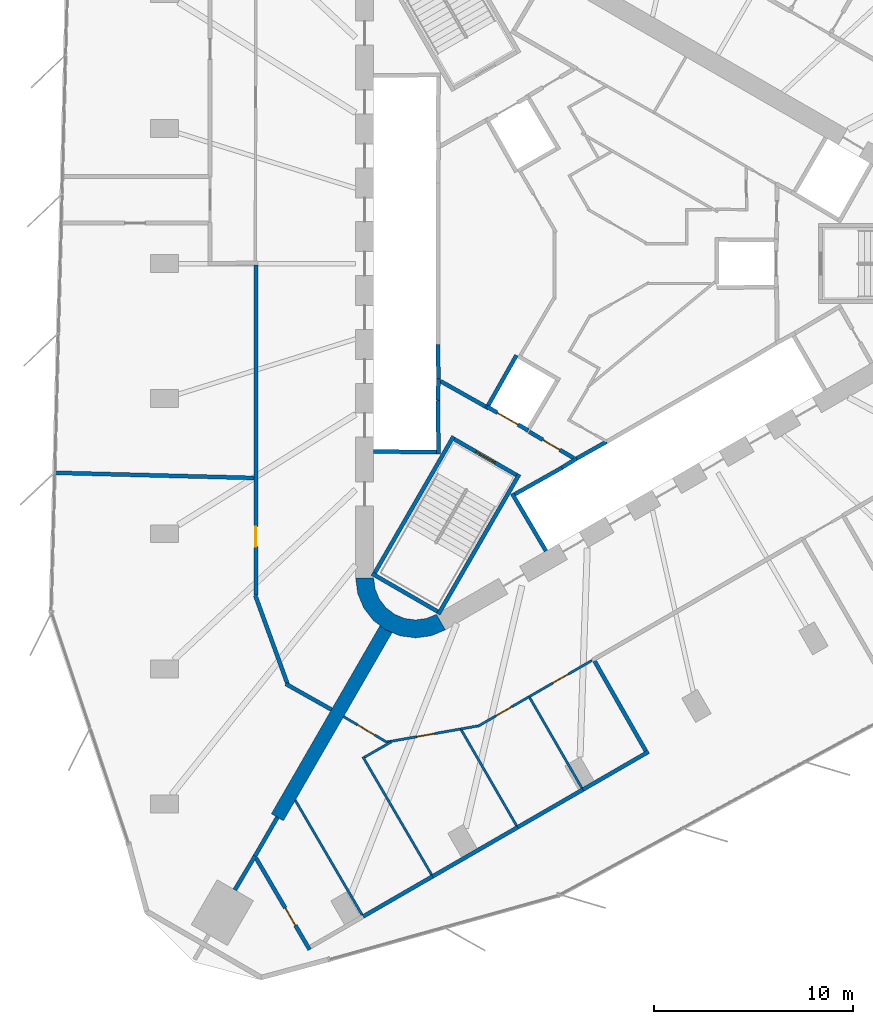
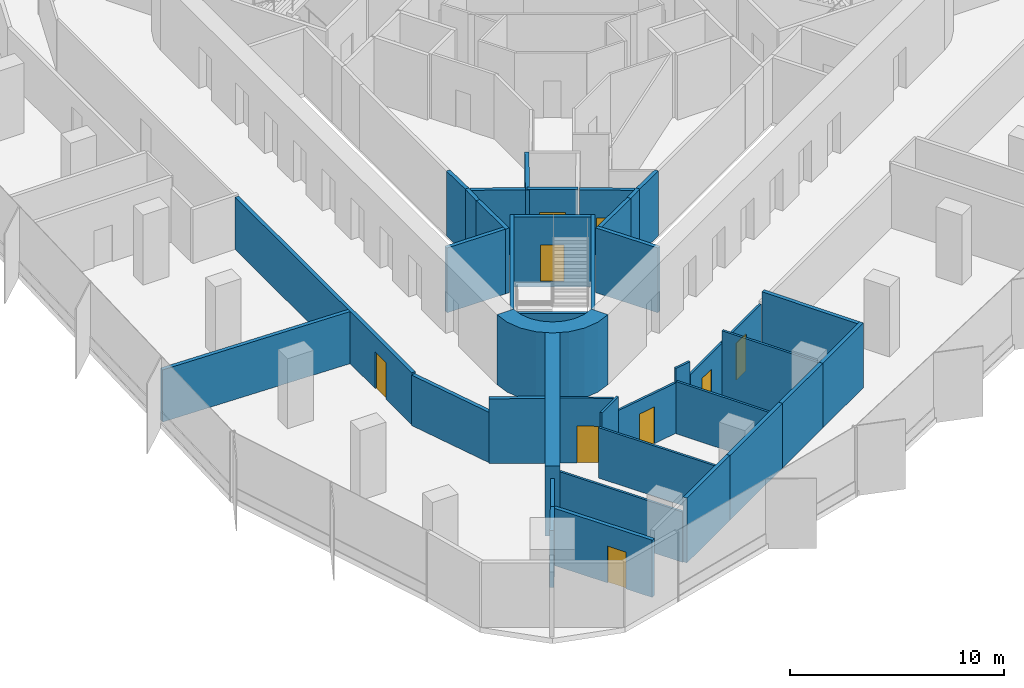
# One storey, part 8 of 14: 40 walls, 9 doors, 9 openings.
"""IFC4 building model written with IfcOpenShell, lengths in metres."""

from ifc_helpers import new_model, si_unit, direction, frame, frame_2d, origin, place, context, subcontext, project, spatial, polyline, rectangle, outline, extrude, material, layer, layer_set, type_object, element, fill, save


model = new_model("IFC4")

# Units and contexts
model_context = context("Model", 3, precision=1e-05, world=origin(), true_north=direction((0.0, 1.0)))
body_context = subcontext(model_context, "Body", "Model", "MODEL_VIEW")
ifc_project = project(units=[si_unit("LENGTHUNIT", "METRE"), si_unit("AREAUNIT", "SQUARE_METRE"), si_unit("VOLUMEUNIT", "CUBIC_METRE"), si_unit("PLANEANGLEUNIT", "RADIAN"), si_unit("MASSUNIT", "GRAM", prefix="KILO")], contexts=[model_context])

# Site, building, storey
site_placement = place(None, origin())
site = spatial("IfcSite", under=ifc_project, at=site_placement, CompositionType="ELEMENT")
building_placement = place(site_placement, origin())
building = spatial("IfcBuilding", under=site, at=building_placement, Name="Tanit Gate Tower", CompositionType="ELEMENT")
storey_placement = place(building_placement, frame((0.0, 0.0, 245.199951171875)))
storey = spatial("IfcBuildingStorey", under=building, at=storey_placement, Name="L55", CompositionType="ELEMENT", Elevation=245.199951171875)

# Walls
ifc_material_1 = material(Name="Concrete C50/60", Category="concrete")
ifc_layer_1 = layer(ifc_material_1, 0.699951171875)
ifc_layer_set_1 = layer_set([ifc_layer_1], Name="BUTTRESS FIN 700 C50/60")
wall_type_1 = type_object("IfcWallType", Name="BUTTRESS FIN 700 C50/60", PredefinedType="SHEAR", material=ifc_layer_set_1)
wall_1_placement = place(storey_placement, frame((-10.574951171875, -18.31640625, 0.0), z_axis=(0.0, 0.0, 1.0), x_axis=(-0.500002931134, -0.866023711487, 0.0)))
element("IfcWall", 1, at=wall_1_placement, inside=storey, type_object=wall_type_1, Name="BUTTRESS FIN", PredefinedType="SHEAR", context=body_context, shape_type="SweptSolid", body=[
    extrude(rectangle(XDim=10.900390625, YDim=0.699951171875, at=frame_2d((5.4501953125, 0.0))), origin(), (0.0, 0.0, 1.0), 4.0),
])
ifc_material_2 = material(Name="Concrete C50/60", Category="concrete")
ifc_layer_2 = layer(ifc_material_2, 0.89990234375)
ifc_layer_set_2 = layer_set([ifc_layer_2], Name="CORE WALL 900 C50/60")
wall_type_2 = type_object("IfcWallType", Name="CORE WALL 900 C50/60", PredefinedType="SHEAR", material=ifc_layer_set_2)
wall_2_placement = place(storey_placement, origin())
element("IfcWall", 2, at=wall_2_placement, inside=storey, type_object=wall_type_2, Name="CORE WALL CORNER", PredefinedType="SHEAR", context=body_context, shape_type="SweptSolid", body=[
    extrude(outline(polyline([(-12.10009765625, -15.76171875), (-11.997802734375, -16.5380859375), (-11.697998046875, -17.26171875), (-11.22119140625, -17.883056640625), (-10.60009765625, -18.359619140625), (-9.87646484375, -18.659423828125), (-9.10009765625, -18.76171875), (-8.323486328125, -18.659423828125), (-7.60009765625, -18.359619140625), (-8.050048828125, -17.580322265625), (-8.556396484375, -17.7900390625), (-9.10009765625, -17.86181640625), (-9.6435546875, -17.7900390625), (-10.14990234375, -17.580322265625), (-10.5849609375, -17.24658203125), (-10.918701171875, -16.811767578125), (-11.12841796875, -16.30517578125), (-11.199951171875, -15.76171875), (-12.10009765625, -15.76171875)])), origin(), (0.0, 0.0, 1.0), 4.0),
])
ifc_material_3 = material(Name="Fire-rated gypsum board partition")
ifc_layer_3 = layer(ifc_material_3, 0.199951171875)
ifc_layer_set_3 = layer_set([ifc_layer_3], Name="INT-WALL-COMPARTMENT")
wall_type_3 = type_object("IfcWallType", Name="INT-WALL-COMPARTMENT", PredefinedType="PARTITIONING", material=ifc_layer_set_3)
wall_3_placement = place(storey_placement, frame((-7.84912109375, -5.893798828125, 0.0), z_axis=(0.0, 0.0, 1.0), x_axis=(0.871340486379, -0.490678873396, 0.0)))
element("IfcWall", 3, at=wall_3_placement, inside=storey, type_object=wall_type_3, Name="Wall Compartment W063", PredefinedType="PARTITIONING", context=body_context, shape_type="SweptSolid", body=[
    extrude(rectangle(XDim=2.580810546875, YDim=0.199951171875, at=frame_2d((1.29052734375, 0.0))), origin(), (0.0, 0.0, 1.0), 3.699951171875),
])

# Wall, opening, door
wall_4_placement = place(storey_placement, frame((-3.400634765625, -8.43017578125, 0.0), z_axis=(0.0, 0.0, 1.0), x_axis=(0.860598681535, -0.509283721849, 0.0)))
wall_4 = element("IfcWall", 4, at=wall_4_placement, inside=storey, type_object=wall_type_3, Name="Wall Compartment W064", PredefinedType="PARTITIONING", context=body_context, shape_type="SweptSolid", body=[
    extrude(rectangle(XDim=2.5810546875, YDim=0.199951171875, at=frame_2d((1.29052734375, 0.0))), origin(), (0.0, 0.0, 1.0), 3.699951171875),
])
opening_1_placement = place(wall_4_placement, frame((0.79052734375, 0.0, 0.0)))
opening_1 = element("IfcOpeningElement", 5, at=opening_1_placement, cuts=wall_4, Name="Opening F10-S15-08", PredefinedType="OPENING", context=body_context, shape_type="SweptSolid", body=[
    extrude(rectangle(XDim=1.0, YDim=2.10009765625, at=frame_2d((0.5, 1.050048828125))), frame((0.0, 0.10986328125, 0.0), z_axis=(0.0, -1.0, 0.0), x_axis=(1.0, 0.0, 0.0)), (0.0, 0.0, 1.0), 0.219970703125),
])
ifc_material_4 = material(Name="Fire-rated steel door leaf", Category="steel")
door_type_1 = type_object("IfcDoorType", Name="INT-DOOR-FIRE-1000", OperationType="NOTDEFINED", PredefinedType="USERDEFINED", material=ifc_material_4)
door_1_placement = place(opening_1_placement, origin())
door_1 = element("IfcDoor", 6, at=door_1_placement, inside=storey, type_object=door_type_1, Name="Door F10-S15-08", ObjectType="FIRE DOOR", OperationType="SINGLE_SWING_RIGHT", OverallHeight=2.10009765625, OverallWidth=1.0, PredefinedType="USERDEFINED", context=body_context, shape_type="SweptSolid", body=[
    extrude(rectangle(XDim=1.0, YDim=2.10009765625, at=frame_2d((0.5, 1.050048828125))), frame((0.0, 0.02490234375, 0.0), z_axis=(0.0, -1.0, 0.0), x_axis=(1.0, 0.0, 0.0)), (0.0, 0.0, 1.0), 0.050048828125),
])
fill(opening_1, door_1)

# Walls
wall_5_placement = place(storey_placement, frame((-15.597900390625, -21.071533203125, 0.0), z_axis=(0.0, 0.0, 1.0), x_axis=(0.871234731294, -0.490866624438, 0.0)))
element("IfcWall", 7, at=wall_5_placement, inside=storey, type_object=wall_type_3, Name="Wall Compartment W098", PredefinedType="PARTITIONING", context=body_context, shape_type="SweptSolid", body=[
    extrude(rectangle(XDim=2.62255859375, YDim=0.199951171875, at=frame_2d((1.311279296875, 0.0))), origin(), (0.0, 0.0, 1.0), 3.699951171875),
])
wall_6_placement = place(storey_placement, frame((-17.13427734375, -16.628662109375, 0.0), z_axis=(0.0, 0.0, 1.0), x_axis=(0.342036655594, -0.939686610647, 0.0)))
element("IfcWall", 8, at=wall_6_placement, inside=storey, type_object=wall_type_3, Name="Wall Compartment W099", PredefinedType="PARTITIONING", context=body_context, shape_type="SweptSolid", body=[
    extrude(rectangle(XDim=4.740234375, YDim=0.199951171875, at=frame_2d((2.3701171875, 0.0))), origin(), (0.0, 0.0, 1.0), 2.880126953125),
])

# Wall, opening, door
wall_7_placement = place(storey_placement, frame((-17.10009765625, -0.070068359375, 0.0), z_axis=(0.0, 0.0, 1.0), x_axis=(0.0, -1.0, 0.0)))
wall_7 = element("IfcWall", 9, at=wall_7_placement, inside=storey, type_object=wall_type_3, Name="Wall Compartment W101", PredefinedType="PARTITIONING", context=body_context, shape_type="SweptSolid", body=[
    extrude(rectangle(XDim=16.552490234375, YDim=0.199951171875, at=frame_2d((8.2763671875, 0.0))), origin(), (0.0, 0.0, 1.0), 2.97998046875),
])
opening_2_placement = place(wall_7_placement, frame((13.115478515625, 0.0, 0.0)))
opening_2 = element("IfcOpeningElement", 10, at=opening_2_placement, cuts=wall_7, Name="Opening F10-S15-31", PredefinedType="OPENING", context=body_context, shape_type="SweptSolid", body=[
    extrude(rectangle(XDim=1.0, YDim=2.10009765625, at=frame_2d((0.5, 1.050048828125))), frame((0.0, 0.10986328125, 0.0), z_axis=(0.0, -1.0, 0.0), x_axis=(1.0, 0.0, 0.0)), (0.0, 0.0, 1.0), 0.219970703125),
])
door_2_placement = place(opening_2_placement, origin())
door_2 = element("IfcDoor", 11, at=door_2_placement, inside=storey, type_object=door_type_1, Name="Door F10-S15-31", ObjectType="FIRE DOOR", OperationType="SINGLE_SWING_RIGHT", OverallHeight=2.10009765625, OverallWidth=1.0, PredefinedType="USERDEFINED", context=body_context, shape_type="SweptSolid", body=[
    extrude(rectangle(XDim=1.0, YDim=2.10009765625, at=frame_2d((0.5, 1.050048828125))), frame((0.0, 0.02490234375, 0.0), z_axis=(0.0, -1.0, 0.0), x_axis=(1.0, 0.0, 0.0)), (0.0, 0.0, 1.0), 0.050048828125),
])
fill(opening_2, door_2)

# Walls
wall_8_placement = place(storey_placement, frame((-17.199951171875, -10.745849609375, 0.0), z_axis=(0.0, 0.0, 1.0), x_axis=(-0.9996635128, 0.025939567783, 0.0)))
element("IfcWall", 12, at=wall_8_placement, inside=storey, type_object=wall_type_3, Name="Wall Compartment W125", PredefinedType="PARTITIONING", context=body_context, shape_type="SweptSolid", body=[
    extrude(rectangle(XDim=9.986083984375, YDim=0.199951171875, at=frame_2d((4.9931640625, 0.0))), origin(), (0.0, 0.0, 1.0), 2.97998046875),
])
wall_9_placement = place(storey_placement, frame((-17.148681640625, -29.7021484375, 0.0), z_axis=(0.0, 0.0, 1.0), x_axis=(0.500042241774, 0.866001014111, 0.0)))
element("IfcWall", 13, at=wall_9_placement, inside=storey, type_object=wall_type_3, Name="Wall Compartment W128", PredefinedType="PARTITIONING", context=body_context, shape_type="SweptSolid", body=[
    extrude(rectangle(XDim=2.246826171875, YDim=0.199951171875, at=frame_2d((1.12353515625, 0.0))), origin(), (0.0, 0.0, 1.0), 3.27001953125),
])
wall_10_placement = place(storey_placement, frame((-18.160888671875, -31.3955078125, 0.0), z_axis=(0.0, 0.0, 1.0), x_axis=(0.512692976909, 0.858572018778, 0.0)))
element("IfcWall", 14, at=wall_10_placement, inside=storey, type_object=wall_type_3, Name="Wall Compartment W127", PredefinedType="PARTITIONING", context=body_context, shape_type="SweptSolid", body=[
    extrude(rectangle(XDim=1.972900390625, YDim=0.199951171875, at=frame_2d((0.986328125, 0.0))), origin(), (0.0, 0.0, 1.0), 3.27001953125),
])
wall_11_placement = place(storey_placement, frame((2.579833984375, -24.46826171875, 0.0), z_axis=(0.0, 0.0, 1.0), x_axis=(-0.866042353438, -0.49997064119, 0.0)))
element("IfcWall", 15, at=wall_11_placement, inside=storey, type_object=wall_type_3, Name="Wall Compartment W145", PredefinedType="PARTITIONING", context=body_context, shape_type="SweptSolid", body=[
    extrude(rectangle(XDim=3.803466796875, YDim=0.199951171875, at=frame_2d((1.90185546875, 0.0))), origin(), (0.0, 0.0, 1.0), 3.699951171875),
])
wall_12_placement = place(storey_placement, frame((-0.714111328125, -26.369873046875, 0.0), z_axis=(0.0, 0.0, 1.0), x_axis=(-0.866008069365, -0.500030022893, 0.0)))
element("IfcWall", 16, at=wall_12_placement, inside=storey, type_object=wall_type_3, Name="Wall Compartment W147", PredefinedType="PARTITIONING", context=body_context, shape_type="SweptSolid", body=[
    extrude(rectangle(XDim=3.779052734375, YDim=0.199951171875, at=frame_2d((1.8896484375, 0.0))), origin(), (0.0, 0.0, 1.0), 3.699951171875),
])
wall_13_placement = place(storey_placement, frame((-3.98681640625, -28.259521484375, 0.0), z_axis=(0.0, 0.0, 1.0), x_axis=(-0.866025160694, -0.500000421045, 0.0)))
element("IfcWall", 17, at=wall_13_placement, inside=storey, type_object=wall_type_3, Name="Wall Compartment W148", PredefinedType="PARTITIONING", context=body_context, shape_type="SweptSolid", body=[
    extrude(rectangle(XDim=4.91650390625, YDim=0.199951171875, at=frame_2d((2.458251953125, 0.0))), origin(), (0.0, 0.0, 1.0), 3.699951171875),
])
wall_14_placement = place(storey_placement, frame((-8.24462890625, -30.7177734375, 0.0), z_axis=(0.0, 0.0, 1.0), x_axis=(-0.866039076139, -0.49997631804, 0.0)))
element("IfcWall", 18, at=wall_14_placement, inside=storey, type_object=wall_type_3, Name="Wall Compartment W149", PredefinedType="PARTITIONING", context=body_context, shape_type="SweptSolid", body=[
    extrude(rectangle(XDim=4.023681640625, YDim=0.199951171875, at=frame_2d((2.01171875, 0.0))), origin(), (0.0, 0.0, 1.0), 3.699951171875),
])
wall_15_placement = place(storey_placement, frame((2.443603515625, -24.431396484375, 0.0), z_axis=(0.0, 0.0, 1.0), x_axis=(-0.495153952563, 0.86880525048, 0.0)))
element("IfcWall", 19, at=wall_15_placement, inside=storey, type_object=wall_type_3, Name="Wall Compartment W146", PredefinedType="PARTITIONING", context=body_context, shape_type="SweptSolid", body=[
    extrude(rectangle(XDim=5.18017578125, YDim=0.199951171875, at=frame_2d((2.590087890625, 0.0))), origin(), (0.0, 0.0, 1.0), 3.699951171875),
])

# Wall, opening, door
wall_16_placement = place(storey_placement, frame((-17.092529296875, -29.803466796875, 0.0), z_axis=(0.0, 0.0, 1.0), x_axis=(0.504838763147, -0.863213660239, 0.0)))
wall_16 = element("IfcWall", 20, at=wall_16_placement, inside=storey, type_object=wall_type_3, Name="Wall Compartment W150", PredefinedType="PARTITIONING", context=body_context, shape_type="SweptSolid", body=[
    extrude(rectangle(XDim=5.315673828125, YDim=0.199951171875, at=frame_2d((2.65771484375, 0.0))), origin(), (0.0, 0.0, 1.0), 3.27001953125),
])
opening_3_placement = place(wall_16_placement, frame((2.89990234375, 0.0, 0.0)))
opening_3 = element("IfcOpeningElement", 21, at=opening_3_placement, cuts=wall_16, Name="Opening F10-S15-30", PredefinedType="OPENING", context=body_context, shape_type="SweptSolid", body=[
    extrude(rectangle(XDim=1.0, YDim=2.10009765625, at=frame_2d((0.5, 1.050048828125))), frame((0.0, 0.10986328125, 0.0), z_axis=(0.0, -1.0, 0.0), x_axis=(1.0, 0.0, 0.0)), (0.0, 0.0, 1.0), 0.219970703125),
])
door_3_placement = place(opening_3_placement, origin())
door_3 = element("IfcDoor", 22, at=door_3_placement, inside=storey, type_object=door_type_1, Name="Door F10-S15-30", ObjectType="FIRE DOOR", OperationType="SINGLE_SWING_RIGHT", OverallHeight=2.10009765625, OverallWidth=1.0, PredefinedType="USERDEFINED", context=body_context, shape_type="SweptSolid", body=[
    extrude(rectangle(XDim=1.0, YDim=2.10009765625, at=frame_2d((0.5, 1.050048828125))), frame((0.0, 0.02490234375, 0.0), z_axis=(0.0, -1.0, 0.0), x_axis=(1.0, 0.0, 0.0)), (0.0, 0.0, 1.0), 0.050048828125),
])
fill(opening_3, door_3)

ifc_material_5 = material(Name="Gypsum board partition")
ifc_layer_4 = layer(ifc_material_5, 0.1201171875)
ifc_layer_set_4 = layer_set([ifc_layer_4], Name="INT-WALL-PARTITION")
wall_type_4 = type_object("IfcWallType", Name="INT-WALL-PARTITION", PredefinedType="PARTITIONING", material=ifc_layer_set_4)
wall_17_placement = place(storey_placement, frame((-5.984130859375, -23.200439453125, 0.0), z_axis=(0.0, 0.0, 1.0), x_axis=(0.866005448672, 0.500034561676, 0.0)))
wall_17 = element("IfcWall", 23, at=wall_17_placement, inside=storey, type_object=wall_type_4, Name="Wall Partition W119", PredefinedType="PARTITIONING", context=body_context, shape_type="SweptSolid", body=[
    extrude(rectangle(XDim=2.979248046875, YDim=0.1201171875, at=frame_2d((1.48974609375, 0.0))), origin(), (0.0, 0.0, 1.0), 2.97998046875),
])
opening_4_placement = place(wall_17_placement, frame((1.069580078125, 0.0, 0.0)))
opening_4 = element("IfcOpeningElement", 24, at=opening_4_placement, cuts=wall_17, Name="Opening D09-S15-27", PredefinedType="OPENING", context=body_context, shape_type="SweptSolid", body=[
    extrude(rectangle(XDim=0.89990234375, YDim=2.10009765625, at=frame_2d((0.449951171875, 1.050048828125))), frame((0.0, 0.070068359375, 0.0), z_axis=(0.0, -1.0, 0.0), x_axis=(1.0, 0.0, 0.0)), (0.0, 0.0, 1.0), 0.14013671875),
])
ifc_material_6 = material(Name="Timber door leaf", Category="wood")
door_type_2 = type_object("IfcDoorType", Name="INT-DOOR-SINGLE-900", OperationType="NOTDEFINED", PredefinedType="NOTDEFINED", material=ifc_material_6)
door_4_placement = place(opening_4_placement, origin())
door_4 = element("IfcDoor", 25, at=door_4_placement, inside=storey, type_object=door_type_2, Name="Door D09-S15-27", OperationType="SINGLE_SWING_LEFT", OverallHeight=2.10009765625, OverallWidth=0.89990234375, PredefinedType="NOTDEFINED", context=body_context, shape_type="SweptSolid", body=[
    extrude(rectangle(XDim=0.89990234375, YDim=2.10009765625, at=frame_2d((0.449951171875, 1.050048828125))), frame((0.0, 0.02490234375, 0.0), z_axis=(0.0, -1.0, 0.0), x_axis=(1.0, 0.0, 0.0)), (0.0, 0.0, 1.0), 0.050048828125),
])
fill(opening_4, door_4)

wall_18_placement = place(storey_placement, frame((-3.404052734375, -21.710693359375, 0.0), z_axis=(0.0, 0.0, 1.0), x_axis=(0.866022210963, 0.500005530088, 0.0)))
wall_18 = element("IfcWall", 26, at=wall_18_placement, inside=storey, type_object=wall_type_4, Name="Wall Partition W118", PredefinedType="PARTITIONING", context=body_context, shape_type="SweptSolid", body=[
    extrude(rectangle(XDim=3.63330078125, YDim=0.1201171875, at=frame_2d((1.816650390625, 0.0))), origin(), (0.0, 0.0, 1.0), 2.97998046875),
])
opening_5_placement = place(wall_18_placement, frame((1.36669921875, 0.0, 0.0)))
opening_5 = element("IfcOpeningElement", 27, at=opening_5_placement, cuts=wall_18, Name="Opening D09-S15-26", PredefinedType="OPENING", context=body_context, shape_type="SweptSolid", body=[
    extrude(rectangle(XDim=0.89990234375, YDim=2.10009765625, at=frame_2d((0.449951171875, 1.050048828125))), frame((0.0, 0.070068359375, 0.0), z_axis=(0.0, -1.0, 0.0), x_axis=(1.0, 0.0, 0.0)), (0.0, 0.0, 1.0), 0.14013671875),
])
door_5_placement = place(opening_5_placement, origin())
door_5 = element("IfcDoor", 28, at=door_5_placement, inside=storey, type_object=door_type_2, Name="Door D09-S15-26", OperationType="SINGLE_SWING_RIGHT", OverallHeight=2.10009765625, OverallWidth=0.89990234375, PredefinedType="NOTDEFINED", context=body_context, shape_type="SweptSolid", body=[
    extrude(rectangle(XDim=0.89990234375, YDim=2.10009765625, at=frame_2d((0.449951171875, 1.050048828125))), frame((0.0, 0.02490234375, 0.0), z_axis=(0.0, -1.0, 0.0), x_axis=(1.0, 0.0, 0.0)), (0.0, 0.0, 1.0), 0.050048828125),
])
fill(opening_5, door_5)

wall_19_placement = place(storey_placement, frame((-10.5498046875, -23.984619140625, 0.0), z_axis=(0.0, 0.0, 1.0), x_axis=(0.984807711093, 0.1736484154, 0.0)))
wall_19 = element("IfcWall", 29, at=wall_19_placement, inside=storey, type_object=wall_type_4, Name="Wall Partition W121", PredefinedType="PARTITIONING", context=body_context, shape_type="SweptSolid", body=[
    extrude(rectangle(XDim=3.763671875, YDim=0.1201171875, at=frame_2d((1.8818359375, 0.0))), origin(), (0.0, 0.0, 1.0), 2.880126953125),
])
opening_6_placement = place(wall_19_placement, frame((1.539794921875, 0.0, 0.0)))
opening_6 = element("IfcOpeningElement", 30, at=opening_6_placement, cuts=wall_19, Name="Opening D09-S15-28", PredefinedType="OPENING", context=body_context, shape_type="SweptSolid", body=[
    extrude(rectangle(XDim=0.89990234375, YDim=2.10009765625, at=frame_2d((0.449951171875, 1.050048828125))), frame((0.0, 0.070068359375, 0.0), z_axis=(0.0, -1.0, 0.0), x_axis=(1.0, 0.0, 0.0)), (0.0, 0.0, 1.0), 0.14013671875),
])
door_6_placement = place(opening_6_placement, origin())
door_6 = element("IfcDoor", 31, at=door_6_placement, inside=storey, type_object=door_type_2, Name="Door D09-S15-28", OperationType="SINGLE_SWING_LEFT", OverallHeight=2.10009765625, OverallWidth=0.89990234375, PredefinedType="NOTDEFINED", context=body_context, shape_type="SweptSolid", body=[
    extrude(rectangle(XDim=0.89990234375, YDim=2.10009765625, at=frame_2d((0.449951171875, 1.050048828125))), frame((0.0, 0.02490234375, 0.0), z_axis=(0.0, -1.0, 0.0), x_axis=(1.0, 0.0, 0.0)), (0.0, 0.0, 1.0), 0.050048828125),
])
fill(opening_6, door_6)

# Wall
wall_20_placement = place(storey_placement, frame((-6.84326171875, -23.3310546875, 0.0), z_axis=(0.0, 0.0, 1.0), x_axis=(0.98477787699, 0.173817527858, 0.0)))
element("IfcWall", 32, at=wall_20_placement, inside=storey, type_object=wall_type_4, Name="Wall Partition W120", PredefinedType="PARTITIONING", context=body_context, shape_type="SweptSolid", body=[
    extrude(rectangle(XDim=0.865234375, YDim=0.1201171875, at=frame_2d((0.4326171875, 0.0))), origin(), (0.0, 0.0, 1.0), 3.699951171875),
])

# Wall, opening, door
wall_21_placement = place(storey_placement, frame((-12.706787109375, -22.708984375, 0.0), z_axis=(0.0, 0.0, 1.0), x_axis=(0.860742216303, -0.509041095663, 0.0)))
wall_21 = element("IfcWall", 33, at=wall_21_placement, inside=storey, type_object=wall_type_4, Name="Wall Partition W122", PredefinedType="PARTITIONING", context=body_context, shape_type="SweptSolid", body=[
    extrude(rectangle(XDim=2.505859375, YDim=0.1201171875, at=frame_2d((1.2529296875, 0.0))), origin(), (0.0, 0.0, 1.0), 3.699951171875),
])
opening_7_placement = place(wall_21_placement, frame((0.802978515625, 0.0, 0.0)))
opening_7 = element("IfcOpeningElement", 34, at=opening_7_placement, cuts=wall_21, Name="Opening D10-S15-29", PredefinedType="OPENING", context=body_context, shape_type="SweptSolid", body=[
    extrude(rectangle(XDim=1.0, YDim=2.10009765625, at=frame_2d((0.5, 1.050048828125))), frame((0.0, 0.070068359375, 0.0), z_axis=(0.0, -1.0, 0.0), x_axis=(1.0, 0.0, 0.0)), (0.0, 0.0, 1.0), 0.14013671875),
])
ifc_material_7 = material(Name="Timber door leaf", Category="wood")
door_type_3 = type_object("IfcDoorType", Name="INT-DOOR-SINGLE-1000", OperationType="NOTDEFINED", PredefinedType="NOTDEFINED", material=ifc_material_7)
door_7_placement = place(opening_7_placement, origin())
door_7 = element("IfcDoor", 35, at=door_7_placement, inside=storey, type_object=door_type_3, Name="Door D10-S15-29", OperationType="SINGLE_SWING_RIGHT", OverallHeight=2.10009765625, OverallWidth=1.0, PredefinedType="NOTDEFINED", context=body_context, shape_type="SweptSolid", body=[
    extrude(rectangle(XDim=1.0, YDim=2.10009765625, at=frame_2d((0.5, 1.050048828125))), frame((0.0, 0.02490234375, 0.0), z_axis=(0.0, -1.0, 0.0), x_axis=(1.0, 0.0, 0.0)), (0.0, 0.0, 1.0), 0.050048828125),
])
fill(opening_7, door_7)

# Walls
wall_22_placement = place(storey_placement, frame((-0.76416015625, -26.283447265625, 0.0), z_axis=(0.0, 0.0, 1.0), x_axis=(-0.499972115377, 0.86604150238, 0.0)))
element("IfcWall", 36, at=wall_22_placement, inside=storey, type_object=wall_type_4, Name="Wall Partition W155", PredefinedType="PARTITIONING", context=body_context, shape_type="SweptSolid", body=[
    extrude(rectangle(XDim=5.219970703125, YDim=0.1201171875, at=frame_2d((2.60986328125, 0.0))), origin(), (0.0, 0.0, 1.0), 3.699951171875),
])
wall_23_placement = place(storey_placement, frame((-4.036865234375, -28.1728515625, 0.0), z_axis=(0.0, 0.0, 1.0), x_axis=(-0.500014212531, 0.86601719802, 0.0)))
element("IfcWall", 37, at=wall_23_placement, inside=storey, type_object=wall_type_4, Name="Wall Partition W156", PredefinedType="PARTITIONING", context=body_context, shape_type="SweptSolid", body=[
    extrude(rectangle(XDim=5.529052734375, YDim=0.1201171875, at=frame_2d((2.7646484375, 0.0))), origin(), (0.0, 0.0, 1.0), 2.97998046875),
])
wall_24_placement = place(storey_placement, frame((-8.294921875, -30.63134765625, 0.0), z_axis=(0.0, 0.0, 1.0), x_axis=(-0.503768936745, 0.863838444601, 0.0)))
element("IfcWall", 38, at=wall_24_placement, inside=storey, type_object=wall_type_4, Name="Wall Partition W157", PredefinedType="PARTITIONING", context=body_context, shape_type="SweptSolid", body=[
    extrude(rectangle(XDim=6.840087890625, YDim=0.1201171875, at=frame_2d((3.419921875, 0.0))), origin(), (0.0, 0.0, 1.0), 2.880126953125),
])
wall_25_placement = place(storey_placement, frame((-10.331298828125, -23.983642578125, 0.0), z_axis=(0.0, 0.0, 1.0), x_axis=(-0.867505637863, -0.497427349746, 0.0)))
element("IfcWall", 39, at=wall_25_placement, inside=storey, type_object=wall_type_4, Name="Wall Partition W158", PredefinedType="PARTITIONING", context=body_context, shape_type="SweptSolid", body=[
    extrude(rectangle(XDim=1.52978515625, YDim=0.1201171875, at=frame_2d((0.764892578125, 0.0))), origin(), (0.0, 0.0, 1.0), 3.699951171875),
])
wall_26_placement = place(storey_placement, frame((-15.127685546875, -26.902099609375, 0.0), z_axis=(0.0, 0.0, 1.0), x_axis=(0.503743114679, -0.863853502866, 0.0)))
element("IfcWall", 40, at=wall_26_placement, inside=storey, type_object=wall_type_4, Name="Wall Partition W159", PredefinedType="PARTITIONING", context=body_context, shape_type="SweptSolid", body=[
    extrude(rectangle(XDim=6.64599609375, YDim=0.1201171875, at=frame_2d((3.322998046875, 0.0))), origin(), (0.0, 0.0, 1.0), 2.880126953125),
])
ifc_material_8 = material(Name="Gypsum shaft wall system")
ifc_layer_5 = layer(ifc_material_8, 0.199951171875)
ifc_layer_set_5 = layer_set([ifc_layer_5], Name="INT-WALL-SHAFT")
wall_type_5 = type_object("IfcWallType", Name="INT-WALL-SHAFT", PredefinedType="PLUMBINGWALL", material=ifc_layer_set_5)
wall_27_placement = place(storey_placement, frame((-7.949951171875, -5.7724609375, 0.0), z_axis=(0.0, 0.0, 1.0), x_axis=(-0.030803413295, -0.999525462272, 0.0)))
element("IfcWall", 41, at=wall_27_placement, inside=storey, type_object=wall_type_5, Name="Wall Shaft W008", PredefinedType="PLUMBINGWALL", context=body_context, shape_type="SweptSolid", body=[
    extrude(rectangle(XDim=1.077880859375, YDim=0.199951171875, at=frame_2d((0.5390625, 0.0))), origin(), (0.0, 0.0, 1.0), 3.699951171875),
])
wall_28_placement = place(storey_placement, frame((-7.97998046875, -4.050048828125, 0.0), z_axis=(0.0, 0.0, 1.0), x_axis=(0.016809909365, -0.999858703491, 0.0)))
element("IfcWall", 42, at=wall_28_placement, inside=storey, type_object=wall_type_5, Name="Wall Shaft W009", PredefinedType="PLUMBINGWALL", context=body_context, shape_type="SweptSolid", body=[
    extrude(rectangle(XDim=1.844482421875, YDim=0.199951171875, at=frame_2d((0.92236328125, 0.0))), origin(), (0.0, 0.0, 1.0), 3.699951171875),
])
wall_29_placement = place(storey_placement, frame((-7.97900390625, -6.85009765625, 0.0), z_axis=(0.0, 0.0, 1.0), x_axis=(0.011121475088, -0.999938154483, 0.0)))
element("IfcWall", 43, at=wall_29_placement, inside=storey, type_object=wall_type_5, Name="Wall Shaft W010", PredefinedType="PLUMBINGWALL", context=body_context, shape_type="SweptSolid", body=[
    extrude(rectangle(XDim=2.7001953125, YDim=0.199951171875, at=frame_2d((1.35009765625, 0.0))), origin(), (0.0, 0.0, 1.0), 3.699951171875),
])
wall_30_placement = place(storey_placement, frame((-8.050048828125, -9.448974609375, 0.0), z_axis=(0.0, 0.0, 1.0), x_axis=(-0.999957467379, 0.009222983926, 0.0)))
element("IfcWall", 44, at=wall_30_placement, inside=storey, type_object=wall_type_5, Name="Wall Shaft W011", PredefinedType="PLUMBINGWALL", context=body_context, shape_type="SweptSolid", body=[
    extrude(rectangle(XDim=3.150146484375, YDim=0.199951171875, at=frame_2d((1.5751953125, 0.0))), origin(), (0.0, 0.0, 1.0), 3.699951171875),
])
wall_31_placement = place(storey_placement, frame((-2.557861328125, -14.409423828125, 0.0), z_axis=(0.0, 0.0, 1.0), x_axis=(-0.507997497166, 0.861358544901, 0.0)))
element("IfcWall", 45, at=wall_31_placement, inside=storey, type_object=wall_type_5, Name="Wall Shaft W019", PredefinedType="PLUMBINGWALL", context=body_context, shape_type="SweptSolid", body=[
    extrude(rectangle(XDim=3.350341796875, YDim=0.199951171875, at=frame_2d((1.67529296875, 0.0))), origin(), (0.0, 0.0, 1.0), 3.699951171875),
])
wall_32_placement = place(storey_placement, frame((-1.7685546875, -10.23681640625, 0.0), z_axis=(0.0, 0.0, 1.0), x_axis=(-0.871534483978, -0.490334215854, 0.0)))
element("IfcWall", 46, at=wall_32_placement, inside=storey, type_object=wall_type_5, Name="Wall Shaft W020", PredefinedType="PLUMBINGWALL", context=body_context, shape_type="SweptSolid", body=[
    extrude(rectangle(XDim=2.7001953125, YDim=0.199951171875, at=frame_2d((1.35009765625, 0.0))), origin(), (0.0, 0.0, 1.0), 3.699951171875),
])
wall_33_placement = place(storey_placement, frame((-1.02392578125, -9.77099609375, 0.0), z_axis=(0.0, 0.0, 1.0), x_axis=(-0.850348075135, -0.526220629693, 0.0)))
element("IfcWall", 47, at=wall_33_placement, inside=storey, type_object=wall_type_5, Name="Wall Shaft W021", PredefinedType="PLUMBINGWALL", context=body_context, shape_type="SweptSolid", body=[
    extrude(rectangle(XDim=0.878173828125, YDim=0.199951171875, at=frame_2d((0.43896484375, 0.0))), origin(), (0.0, 0.0, 1.0), 3.699951171875),
])
wall_34_placement = place(storey_placement, frame((-1.13037109375, -9.83154296875, 0.0), z_axis=(0.0, 0.0, 1.0), x_axis=(0.871988740738, 0.489525929882, 0.0)))
element("IfcWall", 48, at=wall_34_placement, inside=storey, type_object=wall_type_5, Name="Wall Shaft W022", PredefinedType="PLUMBINGWALL", context=body_context, shape_type="SweptSolid", body=[
    extrude(rectangle(XDim=1.8447265625, YDim=0.199951171875, at=frame_2d((0.92236328125, 0.0))), origin(), (0.0, 0.0, 1.0), 3.699951171875),
])

# Wall, opening, door
wall_35_placement = place(storey_placement, frame((-3.44580078125, -8.3681640625, 0.0), z_axis=(0.0, 0.0, 1.0), x_axis=(-0.866024647952, 0.500001309137, 0.0)))
wall_35 = element("IfcWall", 49, at=wall_35_placement, inside=storey, type_object=wall_type_5, Name="Wall Shaft W045", PredefinedType="PLUMBINGWALL", context=body_context, shape_type="SweptSolid", body=[
    extrude(rectangle(XDim=2.39990234375, YDim=0.199951171875, at=frame_2d((1.199951171875, 0.0))), origin(), (0.0, 0.0, 1.0), 3.699951171875),
])
opening_8_placement = place(wall_35_placement, frame((0.60009765625, 0.0, 0.0)))
opening_8 = element("IfcOpeningElement", 50, at=opening_8_placement, cuts=wall_35, Name="Opening LDFL3-L55", PredefinedType="OPENING", context=body_context, shape_type="SweptSolid", body=[
    extrude(rectangle(XDim=1.199951171875, YDim=2.39990234375, at=frame_2d((0.60009765625, 1.199951171875))), frame((0.0, 0.10986328125, 0.0), z_axis=(0.0, -1.0, 0.0), x_axis=(1.0, 0.0, 0.0)), (0.0, 0.0, 1.0), 0.219970703125),
])
ifc_material_9 = material(Name="Stainless steel sliding door leaf", Category="steel")
door_type_4 = type_object("IfcDoorType", Name="INT-DOOR-LANDING-1200", OperationType="NOTDEFINED", PredefinedType="USERDEFINED", material=ifc_material_9)
door_8_placement = place(opening_8_placement, origin())
door_8 = element("IfcDoor", 51, at=door_8_placement, inside=storey, type_object=door_type_4, Name="Door LDFL3-L55", ObjectType="LANDING DOOR", OperationType="SLIDING_TO_LEFT", OverallHeight=2.39990234375, OverallWidth=1.199951171875, PredefinedType="USERDEFINED", context=body_context, shape_type="SweptSolid", body=[
    extrude(rectangle(XDim=1.199951171875, YDim=2.39990234375, at=frame_2d((0.60009765625, 1.199951171875))), frame((0.0, 0.02490234375, 0.0), z_axis=(0.0, -1.0, 0.0), x_axis=(1.0, 0.0, 0.0)), (0.0, 0.0, 1.0), 0.050048828125),
])
fill(opening_8, door_8)

# Walls
wall_36_placement = place(storey_placement, frame((-5.5625, -7.29638671875, 0.0), z_axis=(0.0, 0.0, 1.0), x_axis=(0.491322718731, 0.870977603649, 0.0)))
element("IfcWall", 52, at=wall_36_placement, inside=storey, type_object=wall_type_5, Name="Wall Shaft W046", PredefinedType="PLUMBINGWALL", context=body_context, shape_type="SweptSolid", body=[
    extrude(rectangle(XDim=3.10009765625, YDim=0.199951171875, at=frame_2d((1.550048828125, 0.0))), origin(), (0.0, 0.0, 1.0), 3.699951171875),
])
ifc_material_10 = material(Name="Concrete C40/50", Category="concrete")
ifc_layer_6 = layer(ifc_material_10, 0.199951171875)
ifc_layer_set_6 = layer_set([ifc_layer_6], Name="INT-WALL-STAIR")
wall_type_6 = type_object("IfcWallType", Name="INT-WALL-STAIR", PredefinedType="SHEAR", material=ifc_layer_set_6)
wall_37_placement = place(storey_placement, frame((-3.904541015625, -10.56298828125, -0.300048828125), z_axis=(0.0, 0.0, 1.0), x_axis=(-0.500012932018, -0.866017937352, 0.0)))
element("IfcWall", 53, at=wall_37_placement, inside=storey, type_object=wall_type_6, Name="Wall Stair W041", PredefinedType="SHEAR", context=body_context, shape_type="SweptSolid", body=[
    extrude(rectangle(XDim=8.099853515625, YDim=0.199951171875, at=frame_2d((4.0498046875, 0.0))), origin(), (0.0, 0.0, 1.0), 4.0),
])
wall_38_placement = place(storey_placement, frame((-11.281982421875, -15.541015625, -0.300048828125), z_axis=(0.0, 0.0, 1.0), x_axis=(0.866000483506, -0.500043160704, 0.0)))
element("IfcWall", 54, at=wall_38_placement, inside=storey, type_object=wall_type_6, Name="Wall Stair W042", PredefinedType="SHEAR", context=body_context, shape_type="SweptSolid", body=[
    extrude(rectangle(XDim=3.800048828125, YDim=0.199951171875, at=frame_2d((1.89990234375, 0.0))), origin(), (0.0, 0.0, 1.0), 4.0),
])
wall_39_placement = place(storey_placement, frame((-7.195556640625, -8.662841796875, -0.300048828125), z_axis=(0.0, 0.0, 1.0), x_axis=(-0.499997992926, -0.866026562566, 0.0)))
element("IfcWall", 55, at=wall_39_placement, inside=storey, type_object=wall_type_6, Name="Wall Stair W043", PredefinedType="SHEAR", context=body_context, shape_type="SweptSolid", body=[
    extrude(rectangle(XDim=7.89990234375, YDim=0.199951171875, at=frame_2d((3.949951171875, 0.0))), origin(), (0.0, 0.0, 1.0), 4.0),
])

# Wall, opening, door
wall_40_placement = place(storey_placement, frame((-4.041259765625, -10.599365234375, -0.300048828125), z_axis=(0.0, 0.0, 1.0), x_axis=(-0.866047807691, 0.499961193289, 0.0)))
wall_40 = element("IfcWall", 56, at=wall_40_placement, inside=storey, type_object=wall_type_6, Name="Wall Stair W044", PredefinedType="SHEAR", context=body_context, shape_type="SweptSolid", body=[
    extrude(rectangle(XDim=3.599853515625, YDim=0.199951171875, at=frame_2d((1.7998046875, 0.0))), origin(), (0.0, 0.0, 1.0), 4.0),
])
opening_9_placement = place(wall_40_placement, frame((1.25, 0.0, 0.300048828125)))
opening_9 = element("IfcOpeningElement", 57, at=opening_9_placement, cuts=wall_40, Name="Opening S11-S15-07", PredefinedType="OPENING", context=body_context, shape_type="SweptSolid", body=[
    extrude(rectangle(XDim=1.10009765625, YDim=2.10009765625, at=frame_2d((0.550048828125, 1.050048828125))), frame((0.0, 0.10986328125, 0.0), z_axis=(0.0, -1.0, 0.0), x_axis=(1.0, 0.0, 0.0)), (0.0, 0.0, 1.0), 0.219970703125),
])
ifc_material_11 = material(Name="Timber door leaf", Category="wood")
door_type_5 = type_object("IfcDoorType", Name="INT-DOOR-STAIR-1100", OperationType="NOTDEFINED", PredefinedType="USERDEFINED", material=ifc_material_11)
door_9_placement = place(opening_9_placement, origin())
door_9 = element("IfcDoor", 58, at=door_9_placement, inside=storey, type_object=door_type_5, Name="Door S11-S15-07", ObjectType="FIRE DOOR", OperationType="SINGLE_SWING_LEFT", OverallHeight=2.10009765625, OverallWidth=1.10009765625, PredefinedType="USERDEFINED", context=body_context, shape_type="SweptSolid", body=[
    extrude(rectangle(XDim=1.10009765625, YDim=2.10009765625, at=frame_2d((0.550048828125, 1.050048828125))), frame((0.0, 0.02490234375, 0.0), z_axis=(0.0, -1.0, 0.0), x_axis=(1.0, 0.0, 0.0)), (0.0, 0.0, 1.0), 0.050048828125),
])
fill(opening_9, door_9)

save(model, "model.ifc")
